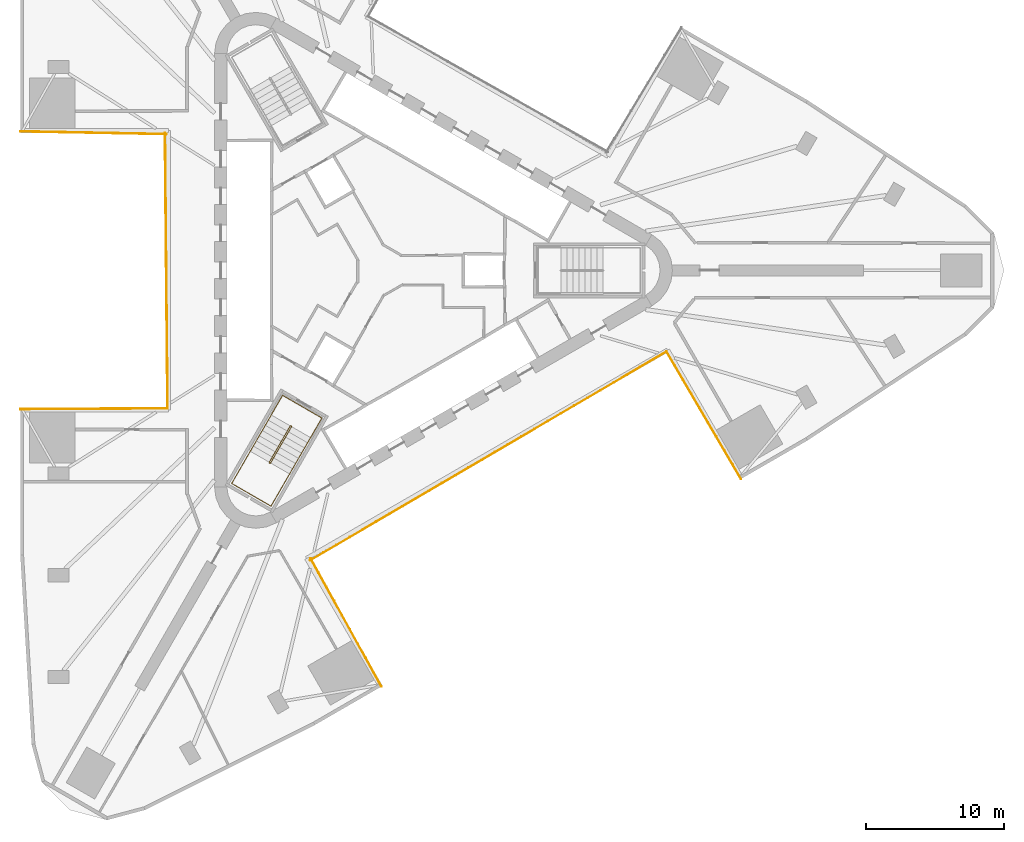
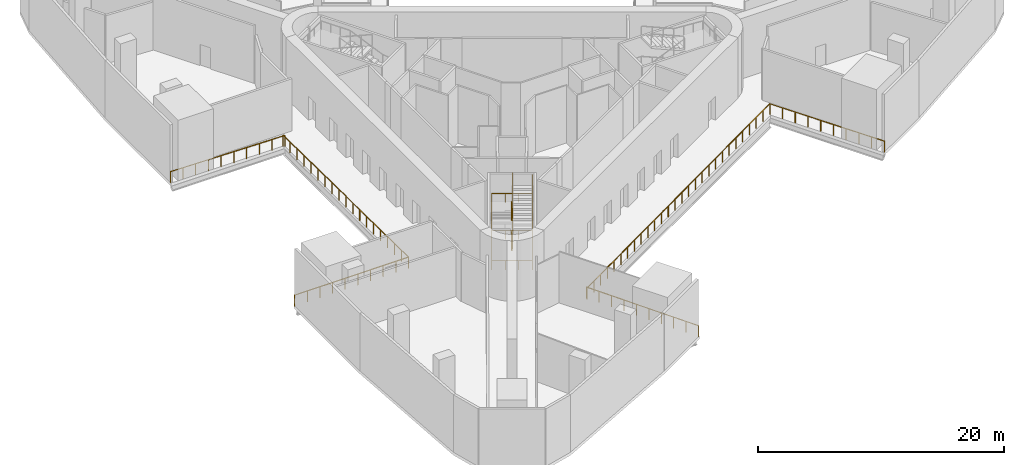
# One storey, part 9 of 11: 11 railings.
"""IFC4 building model written with IfcOpenShell, lengths in metres."""

from ifc_helpers import new_model, si_unit, direction, frame, origin, origin_2d, place, context, subcontext, project, spatial, circle, extrude, material, type_object, element, save


model = new_model("IFC4")

# Units and contexts
model_context = context("Model", 3, precision=1e-05, world=origin(), true_north=direction((0.0, 1.0)))
body_context = subcontext(model_context, "Body", "Model", "MODEL_VIEW")
ifc_project = project(units=[si_unit("LENGTHUNIT", "METRE"), si_unit("AREAUNIT", "SQUARE_METRE"), si_unit("VOLUMEUNIT", "CUBIC_METRE"), si_unit("PLANEANGLEUNIT", "RADIAN"), si_unit("MASSUNIT", "GRAM", prefix="KILO")], contexts=[model_context])

# Site, building, storey
site_placement = place(None, origin())
site = spatial("IfcSite", under=ifc_project, at=site_placement, CompositionType="ELEMENT")
building_placement = place(site_placement, origin())
building = spatial("IfcBuilding", under=site, at=building_placement, Name="Tanit Gate Tower", CompositionType="ELEMENT")
storey_placement = place(building_placement, frame((0.0, 0.0, 27.5)))
storey = spatial("IfcBuildingStorey", under=building, at=storey_placement, Name="L04", CompositionType="ELEMENT", Elevation=27.5)

# Railings
ifc_material_1 = material(Name="Stainless steel", Category="steel")
railing_type_1 = type_object("IfcRailingType", Name="Guard 1100 stainless steel balustrade", PredefinedType="GUARDRAIL", material=ifc_material_1)
railing_1_placement = place(storey_placement, frame((-5.103759765625, -20.9599609375, 0.0)))
element("IfcRailing", 1, at=railing_1_placement, inside=storey, type_object=railing_type_1, Name="Tunnel edge guard L04 1", PredefinedType="GUARDRAIL", context=body_context, shape_type="SweptSolid", body=[
    extrude(circle(Radius=0.02392578125, at=origin_2d()), frame((0.0, 0.0, 1.076171875), z_axis=(0.483623614037, -0.875276070703, 0.0), x_axis=(0.875276070703, 0.483623614037, 0.0)), (0.0, 0.0, 1.0), 10.63134765625),
    extrude(circle(Radius=0.02099609375, at=origin_2d()), origin(), (0.0, 0.0, 1.0), 1.052001953125),
    extrude(circle(Radius=0.02099609375, at=origin_2d()), frame((0.5712890625, -1.033935546875, 0.0)), (0.0, 0.0, 1.0), 1.052001953125),
    extrude(circle(Radius=0.02099609375, at=origin_2d()), frame((1.142578125, -2.06787109375, 0.0)), (0.0, 0.0, 1.0), 1.052001953125),
    extrude(circle(Radius=0.02099609375, at=origin_2d()), frame((1.7138671875, -3.101806640625, 0.0)), (0.0, 0.0, 1.0), 1.052001953125),
    extrude(circle(Radius=0.02099609375, at=origin_2d()), frame((2.28515625, -4.1357421875, 0.0)), (0.0, 0.0, 1.0), 1.052001953125),
    extrude(circle(Radius=0.02099609375, at=origin_2d()), frame((2.8564453125, -5.169677734375, 0.0)), (0.0, 0.0, 1.0), 1.052001953125),
    extrude(circle(Radius=0.02099609375, at=origin_2d()), frame((3.427734375, -6.20361328125, 0.0)), (0.0, 0.0, 1.0), 1.052001953125),
    extrude(circle(Radius=0.02099609375, at=origin_2d()), frame((3.9990234375, -7.237548828125, 0.0)), (0.0, 0.0, 1.0), 1.052001953125),
    extrude(circle(Radius=0.02099609375, at=origin_2d()), frame((4.5703125, -8.271484375, 0.0)), (0.0, 0.0, 1.0), 1.052001953125),
    extrude(circle(Radius=0.02099609375, at=origin_2d()), frame((5.1416015625, -9.305419921875, 0.0)), (0.0, 0.0, 1.0), 1.052001953125),
])
railing_2_placement = place(storey_placement, frame((26.190673828125, -15.16357421875, 0.0)))
element("IfcRailing", 2, at=railing_2_placement, inside=storey, type_object=railing_type_1, Name="Tunnel edge guard L04 2", PredefinedType="GUARDRAIL", context=body_context, shape_type="SweptSolid", body=[
    extrude(circle(Radius=0.02392578125, at=origin_2d()), frame((0.0, 0.0, 1.076171875), z_axis=(-0.50536532766, 0.862905490537, 0.0), x_axis=(-0.862905490537, -0.50536532766, 0.0)), (0.0, 0.0, 1.0), 10.721923828125),
    extrude(circle(Radius=0.02099609375, at=origin_2d()), origin(), (0.0, 0.0, 1.0), 1.052001953125),
    extrude(circle(Radius=0.02099609375, at=origin_2d()), frame((-0.60205078125, 1.028076171875, 0.0)), (0.0, 0.0, 1.0), 1.052001953125),
    extrude(circle(Radius=0.02099609375, at=origin_2d()), frame((-1.2041015625, 2.055908203125, 0.0)), (0.0, 0.0, 1.0), 1.052001953125),
    extrude(circle(Radius=0.02099609375, at=origin_2d()), frame((-1.80615234375, 3.083984375, 0.0)), (0.0, 0.0, 1.0), 1.052001953125),
    extrude(circle(Radius=0.02099609375, at=origin_2d()), frame((-2.408203125, 4.112060546875, 0.0)), (0.0, 0.0, 1.0), 1.052001953125),
    extrude(circle(Radius=0.02099609375, at=origin_2d()), frame((-3.01025390625, 5.139892578125, 0.0)), (0.0, 0.0, 1.0), 1.052001953125),
    extrude(circle(Radius=0.02099609375, at=origin_2d()), frame((-3.6123046875, 6.16796875, 0.0)), (0.0, 0.0, 1.0), 1.052001953125),
    extrude(circle(Radius=0.02099609375, at=origin_2d()), frame((-4.21435546875, 7.196044921875, 0.0)), (0.0, 0.0, 1.0), 1.052001953125),
    extrude(circle(Radius=0.02099609375, at=origin_2d()), frame((-4.81640625, 8.223876953125, 0.0)), (0.0, 0.0, 1.0), 1.052001953125),
    extrude(circle(Radius=0.02099609375, at=origin_2d()), frame((-5.41845703125, 9.251953125, 0.0)), (0.0, 0.0, 1.0), 1.052001953125),
])
railing_3_placement = place(storey_placement, frame((20.772216796875, -5.91162109375, 0.0)))
element("IfcRailing", 3, at=railing_3_placement, inside=storey, type_object=railing_type_1, Name="Tunnel edge guard L04 2", PredefinedType="GUARDRAIL", context=body_context, shape_type="SweptSolid", body=[
    extrude(circle(Radius=0.02392578125, at=origin_2d()), frame((0.0, 0.0, 1.076171875), z_axis=(-0.862766200983, -0.505603087848, 0.0), x_axis=(0.505603087848, -0.862766200983, 0.0)), (0.0, 0.0, 1.0), 10.01123046875),
    extrude(circle(Radius=0.02099609375, at=origin_2d()), origin(), (0.0, 0.0, 1.0), 1.052001953125),
    extrude(circle(Radius=0.02099609375, at=origin_2d()), frame((-0.959716796875, -0.5625, 0.0)), (0.0, 0.0, 1.0), 1.052001953125),
    extrude(circle(Radius=0.02099609375, at=origin_2d()), frame((-1.91943359375, -1.124755859375, 0.0)), (0.0, 0.0, 1.0), 1.052001953125),
    extrude(circle(Radius=0.02099609375, at=origin_2d()), frame((-2.879150390625, -1.687255859375, 0.0)), (0.0, 0.0, 1.0), 1.052001953125),
    extrude(circle(Radius=0.02099609375, at=origin_2d()), frame((-3.8388671875, -2.249755859375, 0.0)), (0.0, 0.0, 1.0), 1.052001953125),
    extrude(circle(Radius=0.02099609375, at=origin_2d()), frame((-4.798583984375, -2.81201171875, 0.0)), (0.0, 0.0, 1.0), 1.052001953125),
    extrude(circle(Radius=0.02099609375, at=origin_2d()), frame((-5.75830078125, -3.37451171875, 0.0)), (0.0, 0.0, 1.0), 1.052001953125),
    extrude(circle(Radius=0.02099609375, at=origin_2d()), frame((-6.718017578125, -3.93701171875, 0.0)), (0.0, 0.0, 1.0), 1.052001953125),
    extrude(circle(Radius=0.02099609375, at=origin_2d()), frame((-7.677734375, -4.499267578125, 0.0)), (0.0, 0.0, 1.0), 1.052001953125),
    extrude(circle(Radius=0.02099609375, at=origin_2d()), frame((-8.637451171875, -5.061767578125, 0.0)), (0.0, 0.0, 1.0), 1.052001953125),
])
railing_4_placement = place(storey_placement, frame((12.134765625, -10.973388671875, 0.0)))
element("IfcRailing", 4, at=railing_4_placement, inside=storey, type_object=railing_type_1, Name="Tunnel edge guard L04 2", PredefinedType="GUARDRAIL", context=body_context, shape_type="SweptSolid", body=[
    extrude(circle(Radius=0.02392578125, at=origin_2d()), frame((0.0, 0.0, 1.076171875), z_axis=(-0.862783072124, -0.505574297662, 0.0), x_axis=(0.505574297662, -0.862783072124, 0.0)), (0.0, 0.0, 1.0), 10.011474609375),
    extrude(circle(Radius=0.02099609375, at=origin_2d()), origin(), (0.0, 0.0, 1.0), 1.052001953125),
    extrude(circle(Radius=0.02099609375, at=origin_2d()), frame((-0.959716796875, -0.5625, 0.0)), (0.0, 0.0, 1.0), 1.052001953125),
    extrude(circle(Radius=0.02099609375, at=origin_2d()), frame((-1.91943359375, -1.124755859375, 0.0)), (0.0, 0.0, 1.0), 1.052001953125),
    extrude(circle(Radius=0.02099609375, at=origin_2d()), frame((-2.879150390625, -1.687255859375, 0.0)), (0.0, 0.0, 1.0), 1.052001953125),
    extrude(circle(Radius=0.02099609375, at=origin_2d()), frame((-3.8388671875, -2.24951171875, 0.0)), (0.0, 0.0, 1.0), 1.052001953125),
    extrude(circle(Radius=0.02099609375, at=origin_2d()), frame((-4.798828125, -2.81201171875, 0.0)), (0.0, 0.0, 1.0), 1.052001953125),
    extrude(circle(Radius=0.02099609375, at=origin_2d()), frame((-5.758544921875, -3.374267578125, 0.0)), (0.0, 0.0, 1.0), 1.052001953125),
    extrude(circle(Radius=0.02099609375, at=origin_2d()), frame((-6.71826171875, -3.936767578125, 0.0)), (0.0, 0.0, 1.0), 1.052001953125),
    extrude(circle(Radius=0.02099609375, at=origin_2d()), frame((-7.677978515625, -4.4990234375, 0.0)), (0.0, 0.0, 1.0), 1.052001953125),
    extrude(circle(Radius=0.02099609375, at=origin_2d()), frame((-8.6376953125, -5.0615234375, 0.0)), (0.0, 0.0, 1.0), 1.052001953125),
])
railing_5_placement = place(storey_placement, frame((3.4970703125, -16.034912109375, 0.0)))
element("IfcRailing", 5, at=railing_5_placement, inside=storey, type_object=railing_type_1, Name="Tunnel edge guard L04 2", PredefinedType="GUARDRAIL", context=body_context, shape_type="SweptSolid", body=[
    extrude(circle(Radius=0.02392578125, at=origin_2d()), frame((0.0, 0.0, 1.076171875), z_axis=(-0.862766200983, -0.505603087848, 0.0), x_axis=(0.505603087848, -0.862766200983, 0.0)), (0.0, 0.0, 1.0), 10.01123046875),
    extrude(circle(Radius=0.02099609375, at=origin_2d()), origin(), (0.0, 0.0, 1.0), 1.052001953125),
    extrude(circle(Radius=0.02099609375, at=origin_2d()), frame((-0.959716796875, -0.5625, 0.0)), (0.0, 0.0, 1.0), 1.052001953125),
    extrude(circle(Radius=0.02099609375, at=origin_2d()), frame((-1.91943359375, -1.124755859375, 0.0)), (0.0, 0.0, 1.0), 1.052001953125),
    extrude(circle(Radius=0.02099609375, at=origin_2d()), frame((-2.879150390625, -1.687255859375, 0.0)), (0.0, 0.0, 1.0), 1.052001953125),
    extrude(circle(Radius=0.02099609375, at=origin_2d()), frame((-3.8388671875, -2.249755859375, 0.0)), (0.0, 0.0, 1.0), 1.052001953125),
    extrude(circle(Radius=0.02099609375, at=origin_2d()), frame((-4.798583984375, -2.81201171875, 0.0)), (0.0, 0.0, 1.0), 1.052001953125),
    extrude(circle(Radius=0.02099609375, at=origin_2d()), frame((-5.75830078125, -3.37451171875, 0.0)), (0.0, 0.0, 1.0), 1.052001953125),
    extrude(circle(Radius=0.02099609375, at=origin_2d()), frame((-6.718017578125, -3.93701171875, 0.0)), (0.0, 0.0, 1.0), 1.052001953125),
    extrude(circle(Radius=0.02099609375, at=origin_2d()), frame((-7.677734375, -4.499267578125, 0.0)), (0.0, 0.0, 1.0), 1.052001953125),
    extrude(circle(Radius=0.02099609375, at=origin_2d()), frame((-8.637451171875, -5.061767578125, 0.0)), (0.0, 0.0, 1.0), 1.052001953125),
])
railing_6_placement = place(storey_placement, frame((-15.60009765625, 9.89990234375, 0.0)))
element("IfcRailing", 6, at=railing_6_placement, inside=storey, type_object=railing_type_1, Name="Tunnel edge guard L04 3", PredefinedType="GUARDRAIL", context=body_context, shape_type="SweptSolid", body=[
    extrude(circle(Radius=0.02392578125, at=origin_2d()), frame((0.0, 0.0, 1.076171875), z_axis=(-0.99982266881, 0.018831647106, 0.0), x_axis=(-0.018831647106, -0.99982266881, 0.0)), (0.0, 0.0, 1.0), 10.630859375),
    extrude(circle(Radius=0.02099609375, at=origin_2d()), origin(), (0.0, 0.0, 1.0), 1.052001953125),
    extrude(circle(Radius=0.02099609375, at=origin_2d()), frame((-1.180908203125, 0.022216796875, 0.0)), (0.0, 0.0, 1.0), 1.052001953125),
    extrude(circle(Radius=0.02099609375, at=origin_2d()), frame((-2.362060546875, 0.04443359375, 0.0)), (0.0, 0.0, 1.0), 1.052001953125),
    extrude(circle(Radius=0.02099609375, at=origin_2d()), frame((-3.54296875, 0.066650390625, 0.0)), (0.0, 0.0, 1.0), 1.052001953125),
    extrude(circle(Radius=0.02099609375, at=origin_2d()), frame((-4.723876953125, 0.0888671875, 0.0)), (0.0, 0.0, 1.0), 1.052001953125),
    extrude(circle(Radius=0.02099609375, at=origin_2d()), frame((-5.905029296875, 0.111328125, 0.0)), (0.0, 0.0, 1.0), 1.052001953125),
    extrude(circle(Radius=0.02099609375, at=origin_2d()), frame((-7.0859375, 0.133544921875, 0.0)), (0.0, 0.0, 1.0), 1.052001953125),
    extrude(circle(Radius=0.02099609375, at=origin_2d()), frame((-8.266845703125, 0.15576171875, 0.0)), (0.0, 0.0, 1.0), 1.052001953125),
    extrude(circle(Radius=0.02099609375, at=origin_2d()), frame((-9.447998046875, 0.177978515625, 0.0)), (0.0, 0.0, 1.0), 1.052001953125),
    extrude(circle(Radius=0.02099609375, at=origin_2d()), frame((-10.62890625, 0.2001953125, 0.0)), (0.0, 0.0, 1.0), 1.052001953125),
])
railing_7_placement = place(storey_placement, frame((-26.227783203125, -10.10009765625, 0.0)))
element("IfcRailing", 7, at=railing_7_placement, inside=storey, type_object=railing_type_1, Name="Tunnel edge guard L04 4", PredefinedType="GUARDRAIL", context=body_context, shape_type="SweptSolid", body=[
    extrude(circle(Radius=0.02392578125, at=origin_2d()), frame((0.0, 0.0, 1.076171875), z_axis=(0.999987666554, 0.004966562124, 0.0), x_axis=(-0.004966562124, 0.999987666554, 0.0)), (0.0, 0.0, 1.0), 10.71630859375),
    extrude(circle(Radius=0.02099609375, at=origin_2d()), origin(), (0.0, 0.0, 1.0), 1.052001953125),
    extrude(circle(Radius=0.02099609375, at=origin_2d()), frame((1.190673828125, 0.005859375, 0.0)), (0.0, 0.0, 1.0), 1.052001953125),
    extrude(circle(Radius=0.02099609375, at=origin_2d()), frame((2.38134765625, 0.01171875, 0.0)), (0.0, 0.0, 1.0), 1.052001953125),
    extrude(circle(Radius=0.02099609375, at=origin_2d()), frame((3.572021484375, 0.017822265625, 0.0)), (0.0, 0.0, 1.0), 1.052001953125),
    extrude(circle(Radius=0.02099609375, at=origin_2d()), frame((4.7626953125, 0.023681640625, 0.0)), (0.0, 0.0, 1.0), 1.052001953125),
    extrude(circle(Radius=0.02099609375, at=origin_2d()), frame((5.953369140625, 0.029541015625, 0.0)), (0.0, 0.0, 1.0), 1.052001953125),
    extrude(circle(Radius=0.02099609375, at=origin_2d()), frame((7.14404296875, 0.035400390625, 0.0)), (0.0, 0.0, 1.0), 1.052001953125),
    extrude(circle(Radius=0.02099609375, at=origin_2d()), frame((8.334716796875, 0.04150390625, 0.0)), (0.0, 0.0, 1.0), 1.052001953125),
    extrude(circle(Radius=0.02099609375, at=origin_2d()), frame((9.525390625, 0.04736328125, 0.0)), (0.0, 0.0, 1.0), 1.052001953125),
    extrude(circle(Radius=0.02099609375, at=origin_2d()), frame((10.716064453125, 0.05322265625, 0.0)), (0.0, 0.0, 1.0), 1.052001953125),
])
railing_8_placement = place(storey_placement, frame((-15.51171875, -10.046875, 0.0)))
element("IfcRailing", 8, at=railing_8_placement, inside=storey, type_object=railing_type_1, Name="Tunnel edge guard L04 4", PredefinedType="GUARDRAIL", context=body_context, shape_type="SweptSolid", body=[
    extrude(circle(Radius=0.02392578125, at=origin_2d()), frame((0.0, 0.0, 1.076171875), z_axis=(-0.009401377171, 0.999955806077, 0.0), x_axis=(-0.999955806077, -0.009401377171, 0.0)), (0.0, 0.0, 1.0), 10.02392578125),
    extrude(circle(Radius=0.02099609375, at=origin_2d()), origin(), (0.0, 0.0, 1.0), 1.052001953125),
    extrude(circle(Radius=0.02099609375, at=origin_2d()), frame((-0.010498046875, 1.11376953125, 0.0)), (0.0, 0.0, 1.0), 1.052001953125),
    extrude(circle(Radius=0.02099609375, at=origin_2d()), frame((-0.02099609375, 2.2275390625, 0.0)), (0.0, 0.0, 1.0), 1.052001953125),
    extrude(circle(Radius=0.02099609375, at=origin_2d()), frame((-0.031494140625, 3.341064453125, 0.0)), (0.0, 0.0, 1.0), 1.052001953125),
    extrude(circle(Radius=0.02099609375, at=origin_2d()), frame((-0.0419921875, 4.454833984375, 0.0)), (0.0, 0.0, 1.0), 1.052001953125),
    extrude(circle(Radius=0.02099609375, at=origin_2d()), frame((-0.05224609375, 5.568603515625, 0.0)), (0.0, 0.0, 1.0), 1.052001953125),
    extrude(circle(Radius=0.02099609375, at=origin_2d()), frame((-0.062744140625, 6.682373046875, 0.0)), (0.0, 0.0, 1.0), 1.052001953125),
    extrude(circle(Radius=0.02099609375, at=origin_2d()), frame((-0.0732421875, 7.7958984375, 0.0)), (0.0, 0.0, 1.0), 1.052001953125),
    extrude(circle(Radius=0.02099609375, at=origin_2d()), frame((-0.083740234375, 8.90966796875, 0.0)), (0.0, 0.0, 1.0), 1.052001953125),
    extrude(circle(Radius=0.02099609375, at=origin_2d()), frame((-0.09423828125, 10.0234375, 0.0)), (0.0, 0.0, 1.0), 1.052001953125),
])
railing_9_placement = place(storey_placement, frame((-15.60595703125, -0.0234375, 0.0)))
element("IfcRailing", 9, at=railing_9_placement, inside=storey, type_object=railing_type_1, Name="Tunnel edge guard L04 4", PredefinedType="GUARDRAIL", context=body_context, shape_type="SweptSolid", body=[
    extrude(circle(Radius=0.02392578125, at=origin_2d()), frame((0.0, 0.0, 1.076171875), z_axis=(-0.009377023416, 0.999956034749, 0.0), x_axis=(-0.999956034749, -0.009377023416, 0.0)), (0.0, 0.0, 1.0), 10.02392578125),
    extrude(circle(Radius=0.02099609375, at=origin_2d()), origin(), (0.0, 0.0, 1.0), 1.052001953125),
    extrude(circle(Radius=0.02099609375, at=origin_2d()), frame((-0.010498046875, 1.11376953125, 0.0)), (0.0, 0.0, 1.0), 1.052001953125),
    extrude(circle(Radius=0.02099609375, at=origin_2d()), frame((-0.02099609375, 2.2275390625, 0.0)), (0.0, 0.0, 1.0), 1.052001953125),
    extrude(circle(Radius=0.02099609375, at=origin_2d()), frame((-0.03125, 3.341064453125, 0.0)), (0.0, 0.0, 1.0), 1.052001953125),
    extrude(circle(Radius=0.02099609375, at=origin_2d()), frame((-0.041748046875, 4.454833984375, 0.0)), (0.0, 0.0, 1.0), 1.052001953125),
    extrude(circle(Radius=0.02099609375, at=origin_2d()), frame((-0.05224609375, 5.568603515625, 0.0)), (0.0, 0.0, 1.0), 1.052001953125),
    extrude(circle(Radius=0.02099609375, at=origin_2d()), frame((-0.062744140625, 6.682373046875, 0.0)), (0.0, 0.0, 1.0), 1.052001953125),
    extrude(circle(Radius=0.02099609375, at=origin_2d()), frame((-0.072998046875, 7.7958984375, 0.0)), (0.0, 0.0, 1.0), 1.052001953125),
    extrude(circle(Radius=0.02099609375, at=origin_2d()), frame((-0.08349609375, 8.90966796875, 0.0)), (0.0, 0.0, 1.0), 1.052001953125),
    extrude(circle(Radius=0.02099609375, at=origin_2d()), frame((-0.093994140625, 10.0234375, 0.0)), (0.0, 0.0, 1.0), 1.052001953125),
])
ifc_material_2 = material(Name="Stainless steel balustrade", Category="steel")
railing_type_2 = type_object("IfcRailingType", Name="INT-STAIR-GUARD", PredefinedType="GUARDRAIL", material=ifc_material_2)
railing_10_placement = place(storey_placement, frame((-6.51806640625, -11.2998046875, 0.0)))
element("IfcRailing", 10, at=railing_10_placement, inside=storey, type_object=railing_type_2, Name="L04 S3 stair guard 1", PredefinedType="GUARDRAIL", context=body_context, shape_type="SweptSolid", body=[
    extrude(circle(Radius=0.02392578125, at=origin_2d()), frame((0.0, 0.0, 1.076171875), z_axis=(-0.874157276122, 0.485642931179, 0.0), x_axis=(-0.485642931179, -0.874157276122, 0.0)), (0.0, 0.0, 1.0), 0.010009765625),
    extrude(circle(Radius=0.02392578125, at=origin_2d()), frame((-0.0087890625, 0.0048828125, 1.076171875), z_axis=(-0.34113380443, -0.090156791171, 0.935681292151), x_axis=(0.255512919477, -0.966805641264, 0.0)), (0.0, 0.0, 1.0), 0.200439453125),
    extrude(circle(Radius=0.02392578125, at=origin_2d()), frame((-0.0771484375, -0.01318359375, 1.263671875), z_axis=(-0.459267510171, -0.795558940874, 0.395169995947), x_axis=(0.866048339477, -0.499960272111, 0.0)), (0.0, 0.0, 1.0), 3.3212890625),
    extrude(circle(Radius=0.02392578125, at=origin_2d()), frame((-1.6025390625, -2.655517578125, 2.576171875), z_axis=(0.258736085224, -0.965948051503, 0.0), x_axis=(0.965948051503, 0.258736085224, 0.0)), (0.0, 0.0, 1.0), 0.07080078125),
    extrude(circle(Radius=0.02392578125, at=origin_2d()), frame((-1.584228515625, -2.723876953125, 2.576171875), z_axis=(0.868243142124, -0.496138938357, 0.0), x_axis=(0.496138938357, 0.868243142124, 0.0)), (0.0, 0.0, 1.0), 0.009765625),
    extrude(circle(Radius=0.02392578125, at=origin_2d()), frame((-1.57568359375, -2.728759765625, 2.576171875), z_axis=(0.341096086969, 0.091365023295, 0.935577838543), x_axis=(-0.258736085224, 0.965948051503, 0.0)), (0.0, 0.0, 1.0), 0.200439453125),
    extrude(circle(Radius=0.02392578125, at=origin_2d()), frame((-1.50732421875, -2.71044921875, 2.763671875), z_axis=(0.459352369135, 0.79550509502, 0.395179762597), x_axis=(-0.865993683553, 0.500054937028, 0.0)), (0.0, 0.0, 1.0), 3.3212890625),
    extrude(circle(Radius=0.02392578125, at=origin_2d()), frame((0.018310546875, -0.068359375, 4.076171875), z_axis=(-0.258736085224, 0.965948051503, 0.0), x_axis=(-0.965948051503, -0.258736085224, 0.0)), (0.0, 0.0, 1.0), 0.07080078125),
    extrude(circle(Radius=0.02392578125, at=origin_2d()), frame((0.0, 0.0, 4.076171875), z_axis=(-0.874157276122, 0.485642931179, 0.0), x_axis=(-0.485642931179, -0.874157276122, 0.0)), (0.0, 0.0, 1.0), 0.010009765625),
    extrude(circle(Radius=0.02392578125, at=origin_2d()), frame((-0.0087890625, 0.0048828125, 4.076171875), z_axis=(-0.34113380443, -0.090156791171, 0.935681292151), x_axis=(0.255512919477, -0.966805641264, 0.0)), (0.0, 0.0, 1.0), 0.200439453125),
    extrude(circle(Radius=0.02392578125, at=origin_2d()), frame((-0.0771484375, -0.01318359375, 4.263671875), z_axis=(-0.459267510171, -0.795558940874, 0.395169995947), x_axis=(0.866048339477, -0.499960272111, 0.0)), (0.0, 0.0, 1.0), 3.3212890625),
    extrude(circle(Radius=0.02392578125, at=origin_2d()), frame((-1.6025390625, -2.655517578125, 5.576171875), z_axis=(0.258736085224, -0.965948051503, 0.0), x_axis=(0.965948051503, 0.258736085224, 0.0)), (0.0, 0.0, 1.0), 0.07080078125),
    extrude(circle(Radius=0.02392578125, at=origin_2d()), frame((-1.584228515625, -2.723876953125, 5.576171875), z_axis=(0.868243142124, -0.496138938357, 0.0), x_axis=(0.496138938357, 0.868243142124, 0.0)), (0.0, 0.0, 1.0), 0.009765625),
    extrude(circle(Radius=0.02392578125, at=origin_2d()), frame((-1.57568359375, -2.728759765625, 5.576171875), z_axis=(0.341096086969, 0.091365023295, 0.935577838543), x_axis=(-0.258736085224, 0.965948051503, 0.0)), (0.0, 0.0, 1.0), 0.200439453125),
    extrude(circle(Radius=0.02392578125, at=origin_2d()), frame((-1.50732421875, -2.71044921875, 5.763671875), z_axis=(0.459352369135, 0.79550509502, 0.395179762597), x_axis=(-0.865993683553, 0.500054937028, 0.0)), (0.0, 0.0, 1.0), 3.3212890625),
    extrude(circle(Radius=0.02099609375, at=origin_2d()), origin(), (0.0, 0.0, 1.0), 1.052001953125),
    extrude(circle(Radius=0.02099609375, at=origin_2d()), frame((-0.0087890625, 0.0048828125, 0.0)), (0.0, 0.0, 1.0), 1.052001953125),
    extrude(circle(Radius=0.02099609375, at=origin_2d()), frame((-0.0771484375, -0.01318359375, 0.1875)), (0.0, 0.0, 1.0), 1.052001953125),
    extrude(circle(Radius=0.02099609375, at=origin_2d()), frame((-0.585693359375, -0.89404296875, 0.625)), (0.0, 0.0, 1.0), 1.052001953125),
    extrude(circle(Radius=0.02099609375, at=origin_2d()), frame((-1.093994140625, -1.774658203125, 1.0625)), (0.0, 0.0, 1.0), 1.052001953125),
    extrude(circle(Radius=0.02099609375, at=origin_2d()), frame((-1.6025390625, -2.655517578125, 1.5)), (0.0, 0.0, 1.0), 1.052001953125),
    extrude(circle(Radius=0.02099609375, at=origin_2d()), frame((-1.584228515625, -2.723876953125, 1.5)), (0.0, 0.0, 1.0), 1.052001953125),
    extrude(circle(Radius=0.02099609375, at=origin_2d()), frame((-1.57568359375, -2.728759765625, 1.5)), (0.0, 0.0, 1.0), 1.052001953125),
    extrude(circle(Radius=0.02099609375, at=origin_2d()), frame((-1.50732421875, -2.71044921875, 1.6875)), (0.0, 0.0, 1.0), 1.052001953125),
    extrude(circle(Radius=0.02099609375, at=origin_2d()), frame((-0.998779296875, -1.829833984375, 2.125)), (0.0, 0.0, 1.0), 1.052001953125),
    extrude(circle(Radius=0.02099609375, at=origin_2d()), frame((-0.490234375, -0.948974609375, 2.5625)), (0.0, 0.0, 1.0), 1.052001953125),
    extrude(circle(Radius=0.02099609375, at=origin_2d()), frame((0.018310546875, -0.068359375, 3.0)), (0.0, 0.0, 1.0), 1.052001953125),
    extrude(circle(Radius=0.02099609375, at=origin_2d()), frame((0.0, 0.0, 3.0)), (0.0, 0.0, 1.0), 1.052001953125),
    extrude(circle(Radius=0.02099609375, at=origin_2d()), frame((-0.0087890625, 0.0048828125, 3.0)), (0.0, 0.0, 1.0), 1.052001953125),
    extrude(circle(Radius=0.02099609375, at=origin_2d()), frame((-0.0771484375, -0.01318359375, 3.1875)), (0.0, 0.0, 1.0), 1.052001953125),
    extrude(circle(Radius=0.02099609375, at=origin_2d()), frame((-0.585693359375, -0.89404296875, 3.625)), (0.0, 0.0, 1.0), 1.052001953125),
    extrude(circle(Radius=0.02099609375, at=origin_2d()), frame((-1.093994140625, -1.774658203125, 4.0625)), (0.0, 0.0, 1.0), 1.052001953125),
    extrude(circle(Radius=0.02099609375, at=origin_2d()), frame((-1.6025390625, -2.655517578125, 4.5)), (0.0, 0.0, 1.0), 1.052001953125),
    extrude(circle(Radius=0.02099609375, at=origin_2d()), frame((-1.584228515625, -2.723876953125, 4.5)), (0.0, 0.0, 1.0), 1.052001953125),
    extrude(circle(Radius=0.02099609375, at=origin_2d()), frame((-1.57568359375, -2.728759765625, 4.5)), (0.0, 0.0, 1.0), 1.052001953125),
    extrude(circle(Radius=0.02099609375, at=origin_2d()), frame((-1.50732421875, -2.71044921875, 4.6875)), (0.0, 0.0, 1.0), 1.052001953125),
    extrude(circle(Radius=0.02099609375, at=origin_2d()), frame((-0.998779296875, -1.829833984375, 5.125)), (0.0, 0.0, 1.0), 1.052001953125),
    extrude(circle(Radius=0.02099609375, at=origin_2d()), frame((-0.490234375, -0.948974609375, 5.5625)), (0.0, 0.0, 1.0), 1.052001953125),
    extrude(circle(Radius=0.02099609375, at=origin_2d()), frame((0.018310546875, -0.068359375, 6.0)), (0.0, 0.0, 1.0), 1.052001953125),
])
ifc_material_3 = material(Name="Stainless steel handrail", Category="steel")
railing_type_3 = type_object("IfcRailingType", Name="INT-STAIR-HANDRAIL", PredefinedType="HANDRAIL", material=ifc_material_3)
railing_11_placement = place(storey_placement, frame((-7.9765625, -10.515625, 0.1875)))
element("IfcRailing", 11, at=railing_11_placement, inside=storey, type_object=railing_type_3, Name="L04 S3 stair handrail 1", PredefinedType="HANDRAIL", context=body_context, shape_type="SweptSolid", body=[
    extrude(circle(Radius=0.02392578125, at=origin_2d()), frame((0.0, 0.0, 0.8759765625), z_axis=(-0.459267510171, -0.795558940874, 0.395169995947), x_axis=(0.866048339477, -0.499960272111, 0.0)), (0.0, 0.0, 1.0), 3.3212890625),
    extrude(circle(Radius=0.02392578125, at=origin_2d()), frame((-1.525390625, -2.642333984375, 2.1884765625), z_axis=(-0.50004290449, -0.866000631449, 0.0), x_axis=(0.866000631449, -0.50004290449, 0.0)), (0.0, 0.0, 1.0), 2.703857421875),
    extrude(circle(Radius=0.02392578125, at=origin_2d()), frame((-2.87744140625, -4.98388671875, 2.1884765625), z_axis=(0.866008176907, -0.50002983664, 0.0), x_axis=(0.50002983664, 0.866008176907, 0.0)), (0.0, 0.0, 1.0), 3.300048828125),
    extrude(circle(Radius=0.02392578125, at=origin_2d()), frame((-0.01953125, -6.634033203125, 2.1884765625), z_axis=(0.498806118336, 0.863948769787, 0.069173546205), x_axis=(-0.866023205937, 0.500003806764, 0.0)), (0.0, 0.0, 1.0), 2.710693359375),
    extrude(circle(Radius=0.02392578125, at=origin_2d()), frame((1.33251953125, -4.292236328125, 2.3759765625), z_axis=(0.459267510171, 0.795558940874, 0.395169995947), x_axis=(-0.866048339477, 0.499960272111, 0.0)), (0.0, 0.0, 1.0), 3.3212890625),
    extrude(circle(Radius=0.02392578125, at=origin_2d()), frame((2.85791015625, -1.64990234375, 3.6884765625), z_axis=(0.50001794124, 0.866015045157, 0.0), x_axis=(-0.866015045157, 0.50001794124, 0.0)), (0.0, 0.0, 1.0), 1.64501953125),
    extrude(circle(Radius=0.02392578125, at=origin_2d()), frame((3.680419921875, -0.225341796875, 3.6884765625), z_axis=(-0.866040211805, 0.499974350878, 0.0), x_axis=(-0.499974350878, -0.866040211805, 0.0)), (0.0, 0.0, 1.0), 3.300048828125),
    extrude(circle(Radius=0.02392578125, at=origin_2d()), frame((0.822509765625, 1.424560546875, 3.6884765625), z_axis=(-0.496801021229, -0.860443442824, 0.113251167796), x_axis=(0.866015045157, -0.50001794124, 0.0)), (0.0, 0.0, 1.0), 1.655517578125),
    extrude(circle(Radius=0.02392578125, at=origin_2d()), frame((0.0, 0.0, 3.8759765625), z_axis=(-0.459267510171, -0.795558940874, 0.395169995947), x_axis=(0.866048339477, -0.499960272111, 0.0)), (0.0, 0.0, 1.0), 3.3212890625),
    extrude(circle(Radius=0.02392578125, at=origin_2d()), frame((-1.525390625, -2.642333984375, 5.1884765625), z_axis=(-0.50004290449, -0.866000631449, 0.0), x_axis=(0.866000631449, -0.50004290449, 0.0)), (0.0, 0.0, 1.0), 2.703857421875),
    extrude(circle(Radius=0.02392578125, at=origin_2d()), frame((-2.87744140625, -4.98388671875, 5.1884765625), z_axis=(0.866008176907, -0.50002983664, 0.0), x_axis=(0.50002983664, 0.866008176907, 0.0)), (0.0, 0.0, 1.0), 3.300048828125),
    extrude(circle(Radius=0.02392578125, at=origin_2d()), frame((-0.01953125, -6.634033203125, 5.1884765625), z_axis=(0.498806118336, 0.863948769787, 0.069173546205), x_axis=(-0.866023205937, 0.500003806764, 0.0)), (0.0, 0.0, 1.0), 2.710693359375),
    extrude(circle(Radius=0.02392578125, at=origin_2d()), frame((1.33251953125, -4.292236328125, 5.3759765625), z_axis=(0.459267510171, 0.795558940874, 0.395169995947), x_axis=(-0.866048339477, 0.499960272111, 0.0)), (0.0, 0.0, 1.0), 3.3212890625),
    extrude(circle(Radius=0.02099609375, at=origin_2d()), origin(), (0.0, 0.0, 1.0), 0.851806640625),
    extrude(circle(Radius=0.02099609375, at=origin_2d()), frame((-0.508544921875, -0.880859375, 0.4375)), (0.0, 0.0, 1.0), 0.851806640625),
    extrude(circle(Radius=0.02099609375, at=origin_2d()), frame((-1.016845703125, -1.761474609375, 0.875)), (0.0, 0.0, 1.0), 0.851806640625),
    extrude(circle(Radius=0.02099609375, at=origin_2d()), frame((-1.525390625, -2.642333984375, 1.3125)), (0.0, 0.0, 1.0), 0.851806640625),
    extrude(circle(Radius=0.02099609375, at=origin_2d()), frame((-1.97607421875, -3.4228515625, 1.3125)), (0.0, 0.0, 1.0), 0.851806640625),
    extrude(circle(Radius=0.02099609375, at=origin_2d()), frame((-2.4267578125, -4.203369140625, 1.3125)), (0.0, 0.0, 1.0), 0.851806640625),
    extrude(circle(Radius=0.02099609375, at=origin_2d()), frame((-2.87744140625, -4.98388671875, 1.3125)), (0.0, 0.0, 1.0), 0.851806640625),
    extrude(circle(Radius=0.02099609375, at=origin_2d()), frame((-1.9248046875, -5.533935546875, 1.3125)), (0.0, 0.0, 1.0), 0.851806640625),
    extrude(circle(Radius=0.02099609375, at=origin_2d()), frame((-0.97216796875, -6.083984375, 1.3125)), (0.0, 0.0, 1.0), 0.851806640625),
    extrude(circle(Radius=0.02099609375, at=origin_2d()), frame((-0.01953125, -6.634033203125, 1.3125)), (0.0, 0.0, 1.0), 0.851806640625),
    extrude(circle(Radius=0.02099609375, at=origin_2d()), frame((0.43115234375, -5.853515625, 1.375)), (0.0, 0.0, 1.0), 0.851806640625),
    extrude(circle(Radius=0.02099609375, at=origin_2d()), frame((0.8818359375, -5.07275390625, 1.4375)), (0.0, 0.0, 1.0), 0.851806640625),
    extrude(circle(Radius=0.02099609375, at=origin_2d()), frame((1.33251953125, -4.292236328125, 1.5)), (0.0, 0.0, 1.0), 0.851806640625),
    extrude(circle(Radius=0.02099609375, at=origin_2d()), frame((1.841064453125, -3.411376953125, 1.9375)), (0.0, 0.0, 1.0), 0.851806640625),
    extrude(circle(Radius=0.02099609375, at=origin_2d()), frame((2.349365234375, -2.53076171875, 2.375)), (0.0, 0.0, 1.0), 0.851806640625),
    extrude(circle(Radius=0.02099609375, at=origin_2d()), frame((2.85791015625, -1.64990234375, 2.8125)), (0.0, 0.0, 1.0), 0.851806640625),
    extrude(circle(Radius=0.02099609375, at=origin_2d()), frame((3.26904296875, -0.9375, 2.8125)), (0.0, 0.0, 1.0), 0.851806640625),
    extrude(circle(Radius=0.02099609375, at=origin_2d()), frame((3.680419921875, -0.225341796875, 2.8125)), (0.0, 0.0, 1.0), 0.851806640625),
    extrude(circle(Radius=0.02099609375, at=origin_2d()), frame((2.727783203125, 0.32470703125, 2.8125)), (0.0, 0.0, 1.0), 0.851806640625),
    extrude(circle(Radius=0.02099609375, at=origin_2d()), frame((1.775146484375, 0.87451171875, 2.8125)), (0.0, 0.0, 1.0), 0.851806640625),
    extrude(circle(Radius=0.02099609375, at=origin_2d()), frame((0.822509765625, 1.424560546875, 2.8125)), (0.0, 0.0, 1.0), 0.851806640625),
    extrude(circle(Radius=0.02099609375, at=origin_2d()), frame((0.4111328125, 0.71240234375, 2.90625)), (0.0, 0.0, 1.0), 0.851806640625),
    extrude(circle(Radius=0.02099609375, at=origin_2d()), frame((0.0, 0.0, 3.0)), (0.0, 0.0, 1.0), 0.851806640625),
    extrude(circle(Radius=0.02099609375, at=origin_2d()), frame((-0.508544921875, -0.880859375, 3.4375)), (0.0, 0.0, 1.0), 0.851806640625),
    extrude(circle(Radius=0.02099609375, at=origin_2d()), frame((-1.016845703125, -1.761474609375, 3.875)), (0.0, 0.0, 1.0), 0.851806640625),
    extrude(circle(Radius=0.02099609375, at=origin_2d()), frame((-1.525390625, -2.642333984375, 4.3125)), (0.0, 0.0, 1.0), 0.851806640625),
    extrude(circle(Radius=0.02099609375, at=origin_2d()), frame((-1.97607421875, -3.4228515625, 4.3125)), (0.0, 0.0, 1.0), 0.851806640625),
    extrude(circle(Radius=0.02099609375, at=origin_2d()), frame((-2.4267578125, -4.203369140625, 4.3125)), (0.0, 0.0, 1.0), 0.851806640625),
    extrude(circle(Radius=0.02099609375, at=origin_2d()), frame((-2.87744140625, -4.98388671875, 4.3125)), (0.0, 0.0, 1.0), 0.851806640625),
    extrude(circle(Radius=0.02099609375, at=origin_2d()), frame((-1.9248046875, -5.533935546875, 4.3125)), (0.0, 0.0, 1.0), 0.851806640625),
    extrude(circle(Radius=0.02099609375, at=origin_2d()), frame((-0.97216796875, -6.083984375, 4.3125)), (0.0, 0.0, 1.0), 0.851806640625),
    extrude(circle(Radius=0.02099609375, at=origin_2d()), frame((-0.01953125, -6.634033203125, 4.3125)), (0.0, 0.0, 1.0), 0.851806640625),
    extrude(circle(Radius=0.02099609375, at=origin_2d()), frame((0.43115234375, -5.853515625, 4.375)), (0.0, 0.0, 1.0), 0.851806640625),
    extrude(circle(Radius=0.02099609375, at=origin_2d()), frame((0.8818359375, -5.07275390625, 4.4375)), (0.0, 0.0, 1.0), 0.851806640625),
    extrude(circle(Radius=0.02099609375, at=origin_2d()), frame((1.33251953125, -4.292236328125, 4.5)), (0.0, 0.0, 1.0), 0.851806640625),
    extrude(circle(Radius=0.02099609375, at=origin_2d()), frame((1.841064453125, -3.411376953125, 4.9375)), (0.0, 0.0, 1.0), 0.851806640625),
    extrude(circle(Radius=0.02099609375, at=origin_2d()), frame((2.349365234375, -2.53076171875, 5.375)), (0.0, 0.0, 1.0), 0.851806640625),
    extrude(circle(Radius=0.02099609375, at=origin_2d()), frame((2.85791015625, -1.64990234375, 5.8125)), (0.0, 0.0, 1.0), 0.851806640625),
])

save(model, "model.ifc")
